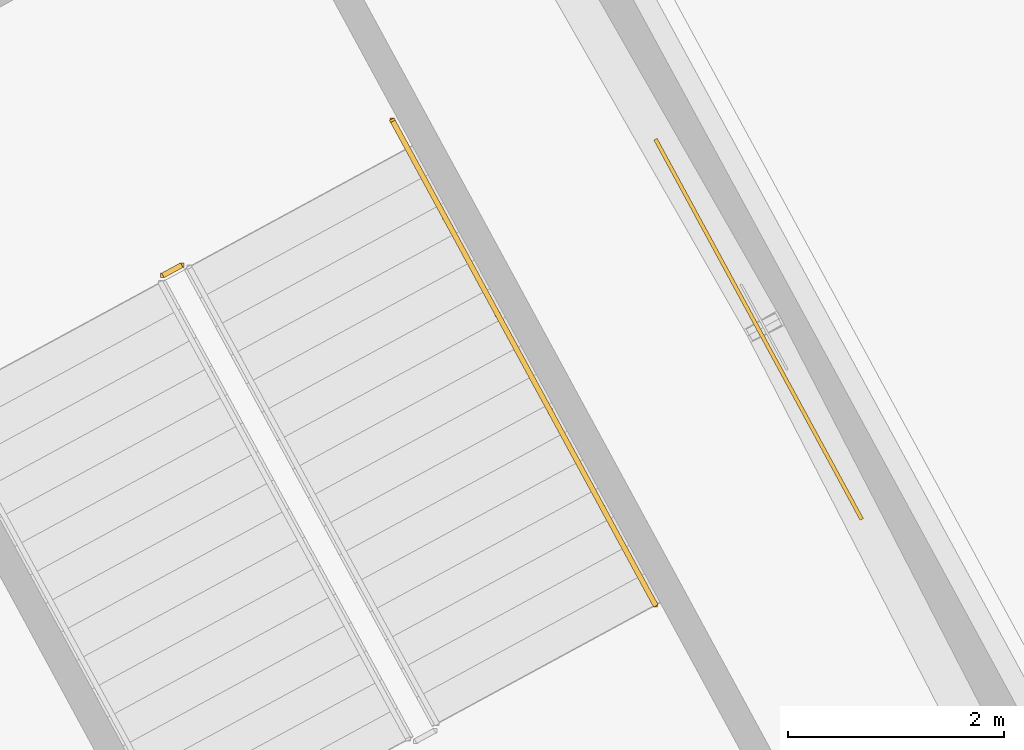
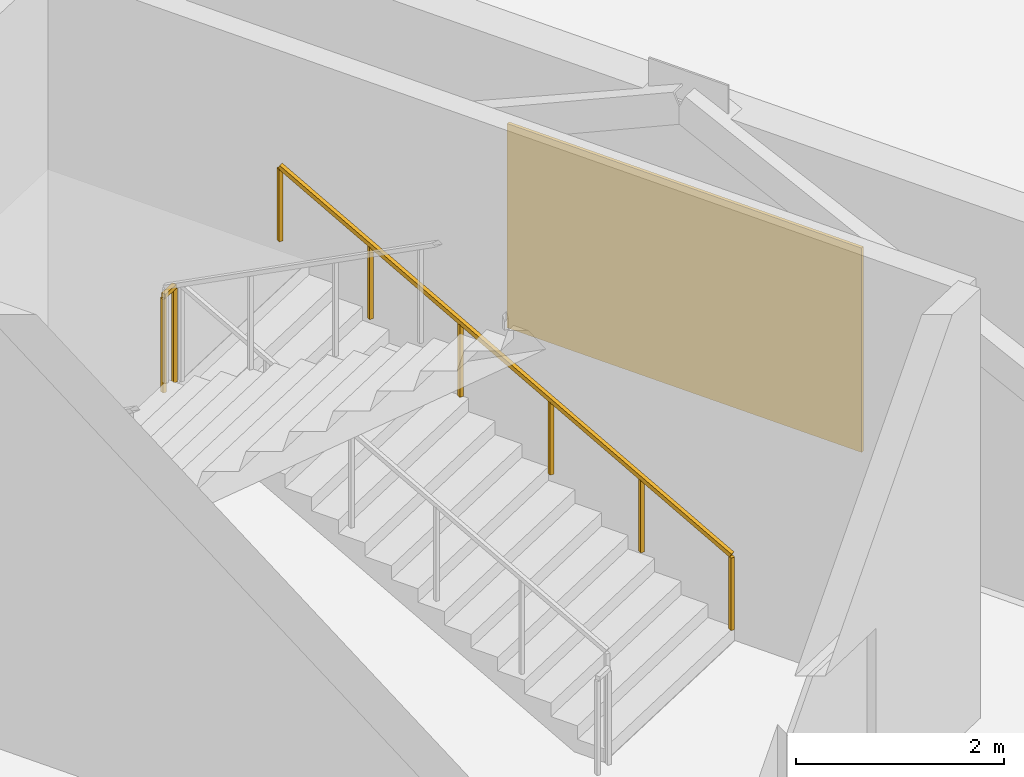
# One storey, part 68 of 74: 2 railings, 1 covering.
"""IFC4 building model written with IfcOpenShell, lengths in metres."""

from ifc_helpers import new_model, si_unit, direction, frame, origin, origin_2d, place, context, subcontext, project, spatial, rectangle, extrude, material, layer, layer_set, type_object, element, save


model = new_model("IFC4")

# Units and contexts
model_context = context("Model", 3, precision=1e-05, world=origin(), true_north=direction((0.0, 1.0)))
body_context = subcontext(model_context, "Body", "Model", "MODEL_VIEW")
ifc_project = project(units=[si_unit("LENGTHUNIT", "METRE"), si_unit("AREAUNIT", "SQUARE_METRE"), si_unit("VOLUMEUNIT", "CUBIC_METRE"), si_unit("PLANEANGLEUNIT", "RADIAN"), si_unit("MASSUNIT", "GRAM", prefix="KILO")], contexts=[model_context])

# Site, building, storey
site_placement = place(None, origin())
site = spatial("IfcSite", under=ifc_project, at=site_placement, CompositionType="ELEMENT")
building_placement = place(site_placement, origin())
building = spatial("IfcBuilding", under=site, at=building_placement, Name="Zlatoyarsky Gate Stadium", CompositionType="ELEMENT")
storey_placement = place(building_placement, frame((0.0, 0.0, -5.39990234375)))
storey = spatial("IfcBuildingStorey", under=building, at=storey_placement, Name="B1", CompositionType="ELEMENT", Elevation=-5.39990234375)

# Covering
ifc_material_1 = material(Name="Fire-retardant birch timber acoustic wall panel", Category="wood")
ifc_layer = layer(ifc_material_1, 0.034912109375)
ifc_layer_set = layer_set([ifc_layer], Name="Fire-retardant birch timber acoustic wall panel")
covering_type = type_object("IfcCoveringType", Name="FLUTED BIRCH ACOUSTIC WALL CLADDING 35", PredefinedType="CLADDING", material=ifc_layer_set)
covering_placement = place(storey_placement, frame((195.942138671875, 106.811767578125, 1.099853515625), z_axis=(0.0, 0.0, 1.0), x_axis=(-0.476952507557, 0.878929067408, 0.0)))
element("IfcCovering", 1, at=covering_placement, inside=storey, type_object=covering_type, Name="B1 acoustic timber wall cladding 01", PredefinedType="CLADDING", context=body_context, shape_type="SweptSolid", body=[
    extrude(rectangle(XDim=4.0, YDim=0.034912109375, at=origin_2d()), origin(), (0.0, 0.0, 1.0), 2.39990234375),
])

# Railings
ifc_material_2 = material(Name="Powder-coated steel stair guardrail", Category="steel")
railing_type_1 = type_object("IfcRailingType", Name="PAINTED STEEL STAIR WELL GUARDRAIL 1150", PredefinedType="GUARDRAIL", material=ifc_material_2)
railing_1_placement = place(storey_placement, frame((190.60791015625, 107.40576171875, 2.699951171875)))
element("IfcRailing", 2, at=railing_1_placement, inside=storey, type_object=railing_type_1, Name="ST-13 B1 stair guard 2", PredefinedType="GUARDRAIL", context=body_context, shape_type="SweptSolid", body=[
    extrude(rectangle(XDim=0.048095703125, YDim=0.048095703125, at=origin_2d()), frame((0.0, 0.0, 1.1259765625), z_axis=(-0.878780312785, -0.477226530971, 0.0), x_axis=(0.477226530971, -0.878780312785, 0.0)), (0.0, 0.0, 1.0), 0.199951171875),
    extrude(rectangle(XDim=0.0419921875, YDim=0.0419921875, at=origin_2d()), origin(), (0.0, 0.0, 1.0), 1.101806640625),
    extrude(rectangle(XDim=0.0419921875, YDim=0.0419921875, at=origin_2d()), frame((-0.17578125, -0.095458984375, 0.0)), (0.0, 0.0, 1.0), 1.101806640625),
])
ifc_material_3 = material(Name="Brushed stainless steel 316 handrail", Category="steel")
railing_type_2 = type_object("IfcRailingType", Name="STAINLESS STEEL TUBULAR HANDRAIL 900", PredefinedType="HANDRAIL", material=ifc_material_3)
railing_2_placement = place(storey_placement, frame((194.986572265625, 104.263427734375, 0.162841796875)))
element("IfcRailing", 3, at=railing_2_placement, inside=storey, type_object=railing_type_2, Name="ST-13 B1 stair handrail 1", PredefinedType="HANDRAIL", context=body_context, shape_type="SweptSolid", body=[
    extrude(rectangle(XDim=0.048095703125, YDim=0.048095703125, at=origin_2d()), frame((0.0, 0.0, 0.8759765625), z_axis=(-0.421472414376, 0.776817406179, 0.467884303411), x_axis=(-0.878961798155, -0.476892186331, 0.0)), (0.0, 0.0, 1.0), 5.7705078125),
    extrude(rectangle(XDim=0.0419921875, YDim=0.0419921875, at=origin_2d()), origin(), (0.0, 0.0, 1.0), 0.851806640625),
    extrude(rectangle(XDim=0.0419921875, YDim=0.0419921875, at=origin_2d()), frame((-0.486328125, 0.896484375, 0.5400390625)), (0.0, 0.0, 1.0), 0.851806640625),
    extrude(rectangle(XDim=0.0419921875, YDim=0.0419921875, at=origin_2d()), frame((-0.972900390625, 1.79296875, 1.080078125)), (0.0, 0.0, 1.0), 0.851806640625),
    extrude(rectangle(XDim=0.0419921875, YDim=0.0419921875, at=origin_2d()), frame((-1.459228515625, 2.689697265625, 1.619873046875)), (0.0, 0.0, 1.0), 0.851806640625),
    extrude(rectangle(XDim=0.0419921875, YDim=0.0419921875, at=origin_2d()), frame((-1.94580078125, 3.586181640625, 2.159912109375)), (0.0, 0.0, 1.0), 0.851806640625),
    extrude(rectangle(XDim=0.0419921875, YDim=0.0419921875, at=origin_2d()), frame((-2.43212890625, 4.482666015625, 2.699951171875)), (0.0, 0.0, 1.0), 0.851806640625),
])

save(model, "model.ifc")
